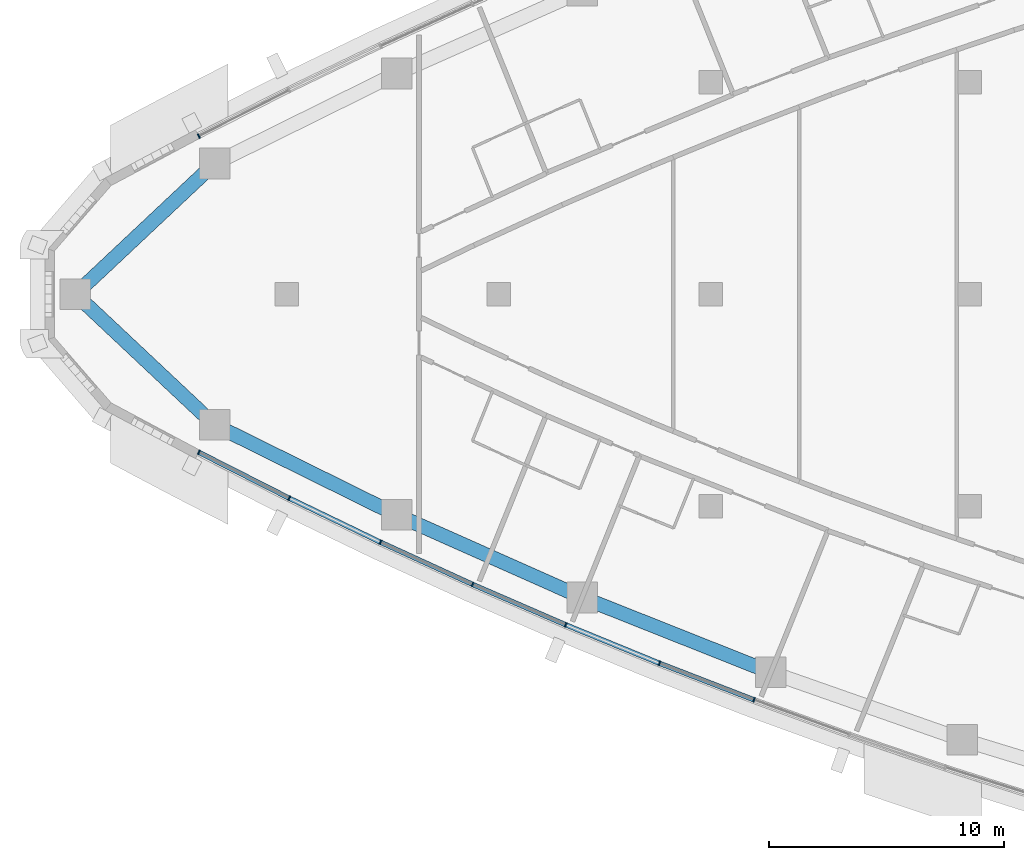
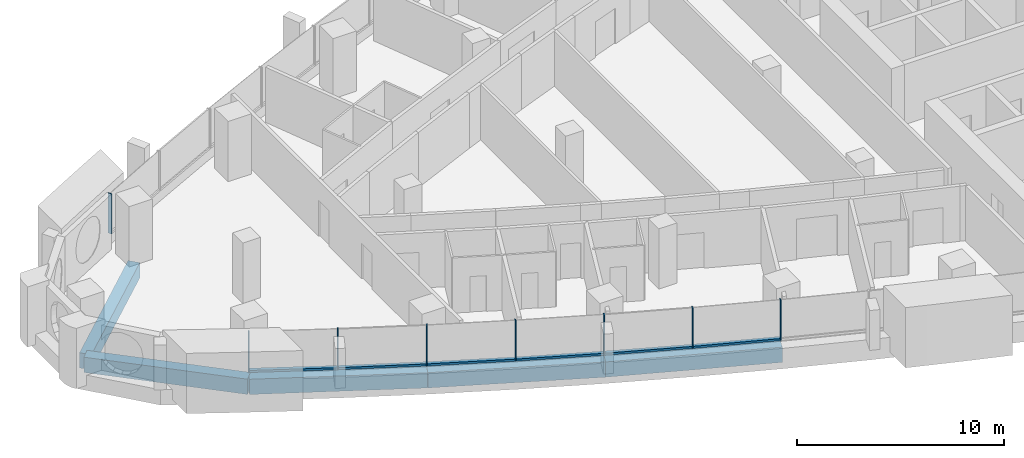
# One storey, part 2 of 17: 14 members, 5 beams, 4 elements without a shape of their own.
"""IFC4 building model written with IfcOpenShell, lengths in metres."""

from ifc_helpers import new_model, si_unit, direction, frame, origin, origin_2d, place, context, subcontext, project, spatial, rectangle, extrude, material, layer, layer_set, material_profile, profile_set, type_object, element, aggregate, save


model = new_model("IFC4")

# Units and contexts
model_context = context("Model", 3, precision=1e-05, world=origin(), true_north=direction((0.0, 1.0)))
body_context = subcontext(model_context, "Body", "Model", "MODEL_VIEW")
ifc_project = project(units=[si_unit("LENGTHUNIT", "METRE"), si_unit("AREAUNIT", "SQUARE_METRE"), si_unit("VOLUMEUNIT", "CUBIC_METRE"), si_unit("PLANEANGLEUNIT", "RADIAN"), si_unit("MASSUNIT", "GRAM", prefix="KILO")], contexts=[model_context])

# Site, building, storey
site_placement = place(None, origin())
site = spatial("IfcSite", under=ifc_project, at=site_placement, CompositionType="ELEMENT")
building_placement = place(site_placement, origin())
building = spatial("IfcBuilding", under=site, at=building_placement, Name="Ostrand Prow Hotel Tower", CompositionType="ELEMENT")
storey_placement = place(building_placement, frame((0.0, 0.0, 200.35009765625)))
storey = spatial("IfcBuildingStorey", under=building, at=storey_placement, Name="L50", CompositionType="ELEMENT", Elevation=200.35009765625)

# Beams
ifc_material_1 = material(Name="Concrete C60/75", Category="concrete")
ifc_material_profile_1 = material_profile(ifc_material_1, rectangle(XDim=0.60009765625, YDim=0.89990234375, at=origin_2d()), Name="RC 600x900")
ifc_profile_set_1 = profile_set([ifc_material_profile_1], Name="Concrete C60/75")
beam_type = type_object("IfcBeamType", Name="Edge beam 600x900 C60/75", PredefinedType="SPANDREL", material=ifc_profile_set_1)
beam_1_placement = place(storey_placement, frame((7.01708984375, 0.0, -0.75), z_axis=(0.728960507808, -0.684555752336, 0.0), x_axis=(0.684555752336, 0.728960507808, 0.0)))
element("IfcBeam", 1, at=beam_1_placement, inside=storey, type_object=beam_type, Name="Edge beam P-S1", PredefinedType="SPANDREL", context=body_context, shape_type="SweptSolid", body=[
    extrude(rectangle(XDim=0.60009765625, YDim=0.89990234375, at=origin_2d()), origin(), (0.0, 0.0, 1.0), 8.109619140625),
])
beam_2_placement = place(storey_placement, frame((12.9287109375, -5.551513671875, -0.75), z_axis=(0.896383774903, -0.443278837856, 0.0), x_axis=(0.443278837856, 0.896383774903, 0.0)))
element("IfcBeam", 2, at=beam_2_placement, inside=storey, type_object=beam_type, Name="Edge beam S1-S2", PredefinedType="SPANDREL", context=body_context, shape_type="SweptSolid", body=[
    extrude(rectangle(XDim=0.60009765625, YDim=0.89990234375, at=origin_2d()), origin(), (0.0, 0.0, 1.0), 8.62158203125),
])
for number, where, z_axis, x_axis, name in (
    (3, (20.656982421875, -9.373291015625, -0.75), (0.91364332073, -0.406516767779, 0.0), (0.406516767779, 0.91364332073, 0.0), "Edge beam S2-S3"),
    (4, (28.5341796875, -12.878173828125, -0.75), (0.929376173753, -0.36913402398, 0.0), (0.36913402398, 0.929376173753, 0.0), "Edge beam S3-S4"),
):
    element("IfcBeam", number, at=place(storey_placement, frame(where, z_axis=z_axis, x_axis=x_axis)), inside=storey, type_object=beam_type, Name=name, PredefinedType="SPANDREL", context=body_context, shape_type="SweptSolid", body=[
        extrude(rectangle(XDim=0.60009765625, YDim=0.89990234375, at=origin_2d()), origin(), (0.0, 0.0, 1.0), 8.621826171875),
    ])
beam_3_placement = place(storey_placement, frame((12.9287109375, 5.551513671875, -0.75), z_axis=(-0.728960507808, -0.684555752336, 0.0), x_axis=(0.684555752336, -0.728960507808, 0.0)))
element("IfcBeam", 5, at=beam_3_placement, inside=storey, type_object=beam_type, Name="Edge beam N6-P", PredefinedType="SPANDREL", context=body_context, shape_type="SweptSolid", body=[
    extrude(rectangle(XDim=0.60009765625, YDim=0.89990234375, at=origin_2d()), origin(), (0.0, 0.0, 1.0), 8.109619140625),
])

# Curtain wall, members
ifc_material_2 = material(Name="Insulated glass in bronze anodised frame", Category="glass")
ifc_layer = layer(ifc_material_2, 0.199951171875)
ifc_layer_set = layer_set([ifc_layer], Name="Insulated glass in bronze anodised frame")
curtain_wall_type = type_object("IfcCurtainWallType", Name="Strip curtain wall, fritted glass over bronze spandrel", PredefinedType="NOTDEFINED", material=ifc_layer_set)
curtain_wall_1_placement = place(storey_placement, origin())
curtain_wall_1 = element("IfcCurtainWall", 6, at=curtain_wall_1_placement, inside=storey, type_object=curtain_wall_type, Name="CW1 run CWS1", PredefinedType="NOTDEFINED")
ifc_material_3 = material(Name="Bronze anodised aluminium", Category="aluminium")
ifc_material_profile_2 = material_profile(ifc_material_3, rectangle(XDim=0.199951171875, YDim=0.06005859375, at=origin_2d()), Name="Mullion 60x200 bronze anodised aluminium")
ifc_profile_set_2 = profile_set([ifc_material_profile_2], Name="Bronze anodised aluminium")
member_type_1 = type_object("IfcMemberType", Name="Mullion 60x200 bronze anodised aluminium", PredefinedType="MULLION", material=ifc_profile_set_2)
member_1_placement = place(storey_placement, frame((12.255859375, -6.71240234375, 0.89990234375), z_axis=(0.0, 0.0, 1.0), x_axis=(0.452658828186, 0.891683792196, 0.0)))
member_1 = element("IfcMember", 7, at=member_1_placement, type_object=member_type_1, Name="CW1 mullion 1", PredefinedType="MULLION", context=body_context, shape_type="SweptSolid", body=[
    extrude(rectangle(XDim=0.199951171875, YDim=0.06005859375, at=origin_2d()), origin(), (0.0, 0.0, 1.0), 2.35009765625),
])
member_2_placement = place(storey_placement, frame((16.0947265625, -8.660888671875, 0.89990234375), z_axis=(0.0, 0.0, 1.0), x_axis=(0.434615027304, 0.90061633232, 0.0)))
member_2 = element("IfcMember", 8, at=member_2_placement, type_object=member_type_1, Name="CW1 mullion 2", PredefinedType="MULLION", context=body_context, shape_type="SweptSolid", body=[
    extrude(rectangle(XDim=0.199951171875, YDim=0.06005859375, at=origin_2d()), origin(), (0.0, 0.0, 1.0), 2.35009765625),
])
member_3_placement = place(storey_placement, frame((19.971923828125, -10.531982421875, 0.89990234375), z_axis=(0.0, 0.0, 1.0), x_axis=(0.434615027304, 0.90061633232, 0.0)))
member_3 = element("IfcMember", 9, at=member_3_placement, type_object=member_type_1, Name="CW1 mullion 3", PredefinedType="MULLION", context=body_context, shape_type="SweptSolid", body=[
    extrude(rectangle(XDim=0.199951171875, YDim=0.06005859375, at=origin_2d()), origin(), (0.0, 0.0, 1.0), 2.35009765625),
])

curtain_wall_2_placement = place(storey_placement, origin())
curtain_wall_2 = element("IfcCurtainWall", 10, at=curtain_wall_2_placement, inside=storey, type_object=curtain_wall_type, Name="CW1 run CWS2", PredefinedType="NOTDEFINED")
member_4_placement = place(storey_placement, frame((23.885986328125, -12.32470703125, 0.89990234375), z_axis=(0.0, 0.0, 1.0), x_axis=(0.398004671812, 0.917383388347, 0.0)))
member_4 = element("IfcMember", 11, at=member_4_placement, type_object=member_type_1, Name="CW1 mullion 2", PredefinedType="MULLION", context=body_context, shape_type="SweptSolid", body=[
    extrude(rectangle(XDim=0.199951171875, YDim=0.06005859375, at=origin_2d()), origin(), (0.0, 0.0, 1.0), 2.35009765625),
])
member_5_placement = place(storey_placement, frame((27.83544921875, -14.0380859375, 0.89990234375), z_axis=(0.0, 0.0, 1.0), x_axis=(0.398004671812, 0.917383388347, 0.0)))
member_5 = element("IfcMember", 12, at=member_5_placement, type_object=member_type_1, Name="CW1 mullion 3", PredefinedType="MULLION", context=body_context, shape_type="SweptSolid", body=[
    extrude(rectangle(XDim=0.199951171875, YDim=0.06005859375, at=origin_2d()), origin(), (0.0, 0.0, 1.0), 2.35009765625),
])

curtain_wall_3_placement = place(storey_placement, origin())
curtain_wall_3 = element("IfcCurtainWall", 13, at=curtain_wall_3_placement, inside=storey, type_object=curtain_wall_type, Name="CW1 run CWS3", PredefinedType="NOTDEFINED")
member_6_placement = place(storey_placement, frame((31.818603515625, -15.671630859375, 0.89990234375), z_axis=(0.0, 0.0, 1.0), x_axis=(0.360748970732, 0.932662950972, 0.0)))
member_6 = element("IfcMember", 14, at=member_6_placement, type_object=member_type_1, Name="CW1 mullion 2", PredefinedType="MULLION", context=body_context, shape_type="SweptSolid", body=[
    extrude(rectangle(XDim=0.199951171875, YDim=0.06005859375, at=origin_2d()), origin(), (0.0, 0.0, 1.0), 2.35009765625),
])
member_7_placement = place(storey_placement, frame((35.833740234375, -17.224609375, 0.89990234375), z_axis=(0.0, 0.0, 1.0), x_axis=(0.360748970732, 0.932662950972, 0.0)))
member_7 = element("IfcMember", 15, at=member_7_placement, type_object=member_type_1, Name="CW1 mullion 3", PredefinedType="MULLION", context=body_context, shape_type="SweptSolid", body=[
    extrude(rectangle(XDim=0.199951171875, YDim=0.06005859375, at=origin_2d()), origin(), (0.0, 0.0, 1.0), 2.35009765625),
])

# Curtain wall, member
curtain_wall_4_placement = place(storey_placement, origin())
curtain_wall_4 = element("IfcCurtainWall", 16, at=curtain_wall_4_placement, inside=storey, type_object=curtain_wall_type, Name="CW1 run CWN5", PredefinedType="NOTDEFINED")
member_8_placement = place(storey_placement, frame((12.255859375, 6.71240234375, 0.89990234375), z_axis=(0.0, 0.0, 1.0), x_axis=(0.452658828186, -0.891683792196, 0.0)))
member_8 = element("IfcMember", 17, at=member_8_placement, type_object=member_type_1, Name="CW1 mullion 3", PredefinedType="MULLION", context=body_context, shape_type="SweptSolid", body=[
    extrude(rectangle(XDim=0.199951171875, YDim=0.06005859375, at=origin_2d()), origin(), (0.0, 0.0, 1.0), 2.35009765625),
])
aggregate(curtain_wall_4, [member_8])

# Member
ifc_material_4 = material(Name="Bronze anodised aluminium", Category="aluminium")
ifc_material_profile_3 = material_profile(ifc_material_4, rectangle(XDim=0.199951171875, YDim=0.1201171875, at=origin_2d()), Name="Transom 120x200 bronze anodised aluminium")
ifc_profile_set_3 = profile_set([ifc_material_profile_3], Name="Bronze anodised aluminium")
member_type_2 = type_object("IfcMemberType", Name="Transom 120x200 bronze anodised aluminium", PredefinedType="USERDEFINED", material=ifc_profile_set_3)
member_9_placement = place(storey_placement, frame((12.28271484375, -6.725830078125, 0.9599609375), z_axis=(0.891672840777, -0.452680400526, 0.0), x_axis=(0.452680400526, 0.891672840777, 0.0)))
member_9 = element("IfcMember", 18, at=member_9_placement, type_object=member_type_2, Name="CW1 transom 1.1", ObjectType="TRANSOM", PredefinedType="USERDEFINED", context=body_context, shape_type="SweptSolid", body=[
    extrude(rectangle(XDim=0.199951171875, YDim=0.1201171875, at=origin_2d()), origin(), (0.0, 0.0, 1.0), 4.2451171875),
])

member_10_placement = place(storey_placement, frame((16.12158203125, -8.674072265625, 0.9599609375), z_axis=(0.900619174345, -0.434609137965, 0.0), x_axis=(0.434609137965, 0.900619174345, 0.0)))
member_10 = element("IfcMember", 19, at=member_10_placement, type_object=member_type_2, Name="CW1 transom 2.1", ObjectType="TRANSOM", PredefinedType="USERDEFINED", context=body_context, shape_type="SweptSolid", body=[
    extrude(rectangle(XDim=0.199951171875, YDim=0.1201171875, at=origin_2d()), origin(), (0.0, 0.0, 1.0), 4.2451171875),
])

aggregate(curtain_wall_1, [member_1, member_2, member_3, member_9, member_10])

member_11_placement = place(storey_placement, frame((19.999267578125, -10.54443359375, 0.9599609375), z_axis=(0.909159196143, -0.416448743628, 0.0), x_axis=(0.416448743628, 0.909159196143, 0.0)))
member_11 = element("IfcMember", 20, at=member_11_placement, type_object=member_type_2, Name="CW1 transom 1.1", ObjectType="TRANSOM", PredefinedType="USERDEFINED", context=body_context, shape_type="SweptSolid", body=[
    extrude(rectangle(XDim=0.199951171875, YDim=0.1201171875, at=origin_2d()), origin(), (0.0, 0.0, 1.0), 4.244873046875),
])

member_12_placement = place(storey_placement, frame((23.91357421875, -12.336669921875, 0.9599609375), z_axis=(0.917389785482, -0.397989926371, 0.0), x_axis=(0.397989926371, 0.917389785482, 0.0)))
member_12 = element("IfcMember", 21, at=member_12_placement, type_object=member_type_2, Name="CW1 transom 2.1", ObjectType="TRANSOM", PredefinedType="USERDEFINED", context=body_context, shape_type="SweptSolid", body=[
    extrude(rectangle(XDim=0.199951171875, YDim=0.1201171875, at=origin_2d()), origin(), (0.0, 0.0, 1.0), 4.244873046875),
])

aggregate(curtain_wall_2, [member_4, member_5, member_11, member_12])

member_13_placement = place(storey_placement, frame((27.863037109375, -14.049560546875, 0.9599609375), z_axis=(0.925213143858, -0.379447807258, 0.0), x_axis=(0.379447807258, 0.925213143858, 0.0)))
member_13 = element("IfcMember", 22, at=member_13_placement, type_object=member_type_2, Name="CW1 transom 1.1", ObjectType="TRANSOM", PredefinedType="USERDEFINED", context=body_context, shape_type="SweptSolid", body=[
    extrude(rectangle(XDim=0.199951171875, YDim=0.1201171875, at=origin_2d()), origin(), (0.0, 0.0, 1.0), 4.2451171875),
])

member_14_placement = place(storey_placement, frame((31.846435546875, -15.6826171875, 0.9599609375), z_axis=(0.932675482501, -0.360716570651, 0.0), x_axis=(0.360716570651, 0.932675482501, 0.0)))
member_14 = element("IfcMember", 23, at=member_14_placement, type_object=member_type_2, Name="CW1 transom 2.1", ObjectType="TRANSOM", PredefinedType="USERDEFINED", context=body_context, shape_type="SweptSolid", body=[
    extrude(rectangle(XDim=0.199951171875, YDim=0.1201171875, at=origin_2d()), origin(), (0.0, 0.0, 1.0), 4.2451171875),
])

aggregate(curtain_wall_3, [member_6, member_7, member_13, member_14])

save(model, "model.ifc")
